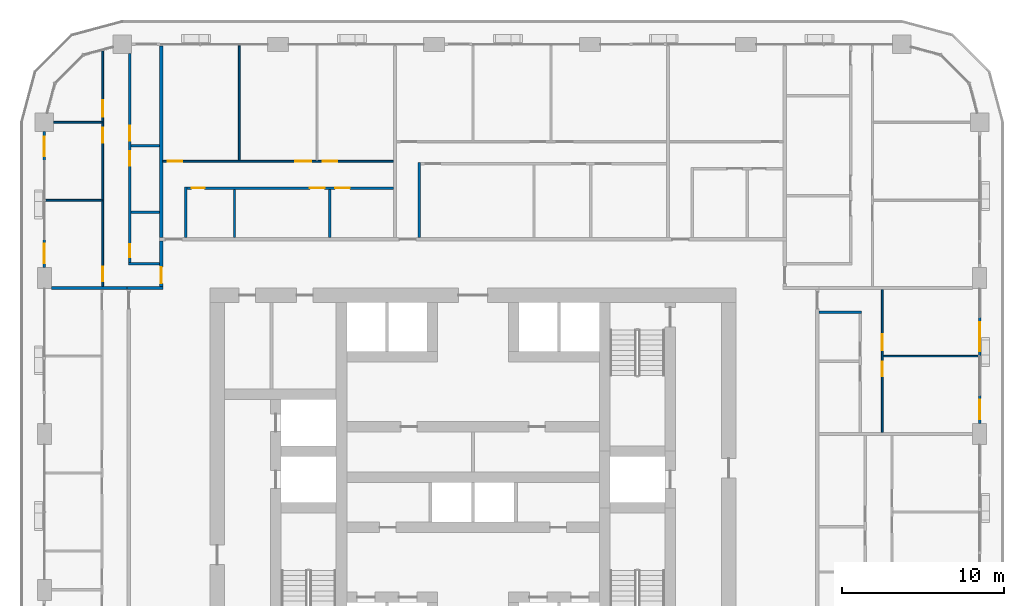
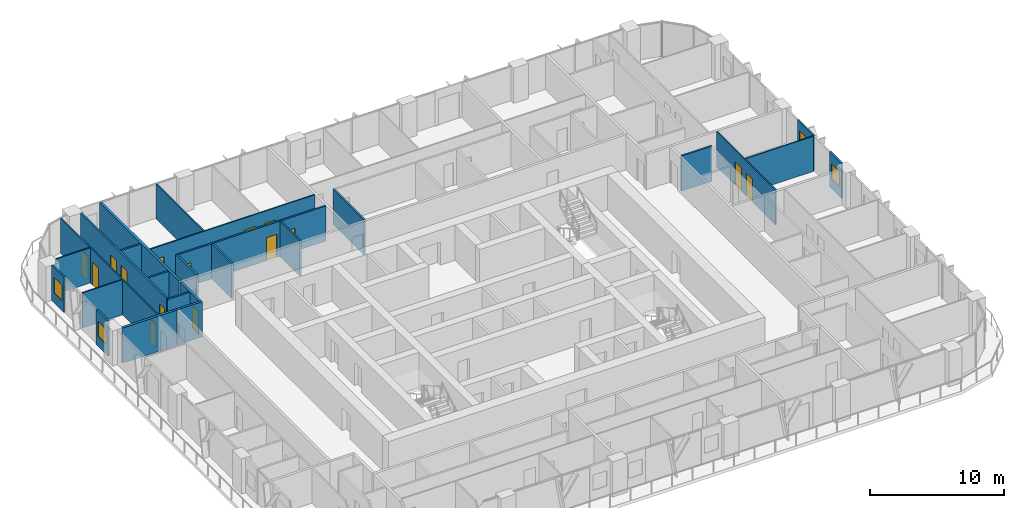
# One storey, part 13 of 21: 25 walls, 16 doors, 3 windows, 19 openings.
"""IFC4 building model written with IfcOpenShell, lengths in metres."""

import ifcopenshell
import ifcopenshell.guid

model = None  # the IFC model being written
_history = None  # IfcOwnerHistory: only IFC2X3 demands one
_inside = {}  # id of a spatial element -> (the spatial element, [elements in it])
_under = {}  # id of a project, library or spatial element -> (it, [spatial elements below it])
_declared = {}  # id of a project -> (the project, [libraries it declares])
_typed = {}  # id of a type object -> (the type object, [elements of that type])
_made_of = {}  # id of a material, layer set ... -> (it, [elements and type objects made of it])


def new_model(schema):
    """Start an empty IFC model of exactly this schema.

    Asked for "IFC4X3", IfcOpenShell would pick the latest addendum, in which some entities
    have other attributes; the version numbers below select the first issue.
    IFC2X3 requires an IfcOwnerHistory on every rooted entity: one is made here for all.
    """
    global model, _history
    if schema == "IFC4X3":
        model = ifcopenshell.file(schema_version=(4, 3, 0, 0))
    else:
        model = ifcopenshell.file(schema=schema)
    _inside.clear()
    _under.clear()
    _declared.clear()
    _typed.clear()
    _made_of.clear()
    _history = None
    if model.schema == "IFC2X3":
        org = make("IfcOrganization", Name="unknown")
        user = make(
            "IfcPersonAndOrganization",
            ThePerson=make("IfcPerson", FamilyName="unknown"),
            TheOrganization=org,
        )
        app = make(
            "IfcApplication",
            ApplicationDeveloper=org,
            Version="unknown",
            ApplicationFullName="unknown",
            ApplicationIdentifier="unknown",
        )
        _history = make(
            "IfcOwnerHistory",
            OwningUser=user,
            OwningApplication=app,
            ChangeAction="ADDED",
            CreationDate=0,
        )
    return model


def make(cls, **values):
    """One entity of the class cls with the attributes given. An attribute that is None is left unset."""
    return model.create_entity(
        cls, **{name: value for name, value in values.items() if value is not None}
    )


def rooted(cls, **values):
    """An entity with a GlobalId (a new one), such as an element, a storey or a relation."""
    return make(cls, GlobalId=ifcopenshell.guid.new(), OwnerHistory=_history, **values)


def si_unit(unit_type, name, prefix=None):
    """IfcSIUnit, for example si_unit("LENGTHUNIT", "METRE", prefix="MILLI")."""
    return make("IfcSIUnit", UnitType=unit_type, Prefix=prefix, Name=name)


def assignment(units):
    """IfcUnitAssignment: the units of a project."""
    return None if units is None else make("IfcUnitAssignment", Units=units)


def point(xyz):
    """IfcCartesianPoint."""
    return None if xyz is None else make("IfcCartesianPoint", Coordinates=xyz)


def direction(xyz):
    """IfcDirection."""
    return None if xyz is None else make("IfcDirection", DirectionRatios=xyz)


def frame(location, z_axis=None, x_axis=None):
    """IfcAxis2Placement3D, a coordinate frame: its origin and axes. An axis left out is left unset."""
    return make(
        "IfcAxis2Placement3D",
        Location=point(location),
        Axis=direction(z_axis),
        RefDirection=direction(x_axis),
    )


def frame_2d(location, x_axis=None):
    """IfcAxis2Placement2D, a coordinate frame in the plane: its origin and x axis."""
    return make(
        "IfcAxis2Placement2D", Location=point(location), RefDirection=direction(x_axis)
    )


def origin():
    """The frame at (0, 0, 0) with its axes left unset."""
    return frame((0.0, 0.0, 0.0))


def place(relative_to, where):
    """IfcLocalPlacement: puts the frame where relative to a parent placement (None: the world)."""
    return make(
        "IfcLocalPlacement", PlacementRelTo=relative_to, RelativePlacement=where
    )


def context(
    kind, dimensions, precision=None, world=None, true_north=None, identifier=None
):
    """IfcGeometricRepresentationContext, for example the 3D "Model" context."""
    return make(
        "IfcGeometricRepresentationContext",
        ContextIdentifier=identifier,
        ContextType=kind,
        CoordinateSpaceDimension=dimensions,
        Precision=precision,
        WorldCoordinateSystem=world,
        TrueNorth=true_north,
    )


def subcontext(parent, identifier, kind, view, scale=None):
    """IfcGeometricRepresentationSubContext, for example "Body" below "Model"."""
    return make(
        "IfcGeometricRepresentationSubContext",
        ContextIdentifier=identifier,
        ContextType=kind,
        ParentContext=parent,
        TargetScale=scale,
        TargetView=view,
    )


def project(units=None, contexts=None):
    """IfcProject with its units and contexts."""
    return rooted(
        "IfcProject",
        Name="project",
        RepresentationContexts=contexts,
        UnitsInContext=assignment(units),
    )


def spatial(cls, under=None, at=None, **own):
    """A site, building, storey or space (cls), placed at a placement, below another one or the project."""
    s = rooted(cls, ObjectPlacement=at, **own)
    if under is not None:
        _under.setdefault(under.id(), (under, []))[1].append(s)
    return s


def profile(cls, at=None, kind="AREA", **sizes):
    """A parametric profile (cls). Its sizes go by their IFC names, for example OverallWidth=200.0."""
    return make(cls, ProfileType=kind, Position=at, **sizes)


def rectangle(**sizes):
    """IfcRectangleProfileDef."""
    return profile("IfcRectangleProfileDef", **sizes)


def extrude(swept, where, along, depth):
    """IfcExtrudedAreaSolid: the profile swept, set in the frame where, extruded along a direction by depth."""
    return make(
        "IfcExtrudedAreaSolid",
        SweptArea=swept,
        Position=where,
        ExtrudedDirection=direction(along),
        Depth=depth,
    )


def shape(context_of_items, identifier, shape_type, items):
    """IfcShapeRepresentation: the items that make up one representation, for example the "Body"."""
    return make(
        "IfcShapeRepresentation",
        ContextOfItems=context_of_items,
        RepresentationIdentifier=identifier,
        RepresentationType=shape_type,
        Items=items,
    )


def material(Name=None, Category=None):
    """IfcMaterial."""
    return make("IfcMaterial", Name=Name, Category=Category)


def layer(
    of_material, thickness, ventilated=None, Name=None, Category=None, Priority=None
):
    """IfcMaterialLayer: one layer of a wall or slab, of a material (None: an air gap)."""
    return make(
        "IfcMaterialLayer",
        Material=of_material,
        LayerThickness=thickness,
        IsVentilated=ventilated,
        Name=Name,
        Category=Category,
        Priority=Priority,
    )


def layer_set(layers, Name=None):
    """IfcMaterialLayerSet."""
    return make("IfcMaterialLayerSet", MaterialLayers=layers, LayerSetName=Name)


def made_of(thing, what):
    """Note that an element or type object is made of a material, layer set ...; save() writes the relation."""
    if what is not None:
        _made_of.setdefault(what.id(), (what, []))[1].append(thing)
    return thing


def type_object(cls, material=None, **own):
    """A type object (cls), such as IfcWallType, which elements share."""
    return made_of(rooted(cls, **own), material)


def element(
    cls,
    number,
    at=None,
    inside=None,
    cuts=None,
    type_object=None,
    material=None,
    context=None,
    identifier="Body",
    shape_type=None,
    held_by="IfcProductDefinitionShape",
    body=None,
    shapes=None,
    **own,
):
    """One element of the class cls, such as IfcWall. Its Tag is "e" and its number.

    at: its placement. inside: the storey or other place that contains it. cuts: it is an
    opening in that element (IfcRelVoidsElement). A single representation is given by context,
    identifier, shape_type and body (its items); several are given by shapes. held_by: the class
    of the entity that holds the representations. save() writes the other relations.
    """
    e = rooted(cls, Tag="e%d" % number, ObjectPlacement=at, **own)
    if body is not None:
        shapes = [shape(context, identifier, shape_type, body)]
    if shapes is not None:
        e.Representation = make(held_by, Representations=shapes)
    if inside is not None:
        _inside.setdefault(inside.id(), (inside, []))[1].append(e)
    if cuts is not None:
        rooted(
            "IfcRelVoidsElement", RelatingBuildingElement=cuts, RelatedOpeningElement=e
        )
    if type_object is not None:
        _typed.setdefault(type_object.id(), (type_object, []))[1].append(e)
    return made_of(e, material)


def fill(opening, filler):
    """IfcRelFillsElement: the door or window that sits in an opening."""
    return rooted(
        "IfcRelFillsElement",
        RelatingOpeningElement=opening,
        RelatedBuildingElement=filler,
    )


def aggregate(whole, parts):
    """IfcRelAggregates: a whole, such as a stair, and the parts it consists of."""
    return rooted("IfcRelAggregates", RelatingObject=whole, RelatedObjects=parts)


def save(model, path):
    """Write the relations noted so far, then the file.

    IfcRelAggregates (storeys below a building ...), IfcRelContainedInSpatialStructure (elements
    in a storey), IfcRelDefinesByType, IfcRelAssociatesMaterial and IfcRelDeclares: one each for
    every whole, place, type object, material and project.
    """
    for whole, parts in _under.values():
        aggregate(whole, parts)
    for where, things in _inside.values():
        rooted(
            "IfcRelContainedInSpatialStructure",
            RelatedElements=things,
            RelatingStructure=where,
        )
    for kind, things in _typed.values():
        rooted("IfcRelDefinesByType", RelatedObjects=things, RelatingType=kind)
    for what, things in _made_of.values():
        rooted("IfcRelAssociatesMaterial", RelatedObjects=things, RelatingMaterial=what)
    for by, libraries in _declared.values():
        rooted("IfcRelDeclares", RelatingContext=by, RelatedDefinitions=libraries)
    model.write(path)


model = new_model("IFC4")

# Units and contexts
model_context = context("Model", 3, precision=1e-05, world=origin(), true_north=direction((0.0, 1.0)))
body_context = subcontext(model_context, "Body", "Model", "MODEL_VIEW")
ifc_project = project(units=[si_unit("LENGTHUNIT", "METRE"), si_unit("AREAUNIT", "SQUARE_METRE"), si_unit("VOLUMEUNIT", "CUBIC_METRE"), si_unit("PLANEANGLEUNIT", "RADIAN"), si_unit("MASSUNIT", "GRAM", prefix="KILO")], contexts=[model_context])

# Site, building, storey
site_placement = place(None, origin())
site = spatial("IfcSite", under=ifc_project, at=site_placement, CompositionType="ELEMENT")
building_placement = place(site_placement, origin())
building = spatial("IfcBuilding", under=site, at=building_placement, Name="Madar Terraces", CompositionType="ELEMENT")
storey_placement = place(building_placement, frame((0.0, 0.0, 96.199951171875)))
storey = spatial("IfcBuildingStorey", under=building, at=storey_placement, Name="L24", CompositionType="ELEMENT", Elevation=96.199951171875)

# Wall, opening, window
ifc_material_1 = material(Name="Aluminium composite panel, black, over insulated backing", Category="aluminium")
ifc_layer_1 = layer(ifc_material_1, 0.14990234375)
ifc_layer_set_1 = layer_set([ifc_layer_1], Name="Facade bay panel 150")
wall_type_1 = type_object("IfcWallType", Name="Facade bay panel 150", PredefinedType="SOLIDWALL", material=ifc_layer_set_1)
wall_1_placement = place(storey_placement, frame((62.39990234375, 29.449951171875, 0.0), z_axis=(0.0, 0.0, 1.0), x_axis=(0.0, 1.0, 0.0)))
wall_1 = element("IfcWall", 1, at=wall_1_placement, inside=storey, type_object=wall_type_1, Name="Facade bay panel", PredefinedType="SOLIDWALL", context=body_context, shape_type="SweptSolid", body=[
    extrude(rectangle(XDim=1.75, YDim=0.14990234375, at=frame_2d((0.875, 0.0))), origin(), (0.0, 0.0, 1.0), 3.199951171875),
])
opening_1_placement = place(wall_1_placement, frame((0.27490234375, 0.0, 0.89990234375)))
opening_1 = element("IfcOpeningElement", 2, at=opening_1_placement, cuts=wall_1, Name="Opening W1", PredefinedType="OPENING", context=body_context, shape_type="SweptSolid", body=[
    extrude(rectangle(XDim=1.199951171875, YDim=1.39990234375, at=frame_2d((0.60009765625, 0.699951171875))), frame((0.0, 0.0849609375, 0.0), z_axis=(0.0, -1.0, 0.0), x_axis=(1.0, 0.0, 0.0)), (0.0, 0.0, 1.0), 0.169921875),
])
ifc_material_2 = material(Name="Glass, clear, with black aluminium frame", Category="aluminium")
window_type = type_object("IfcWindowType", Name="Vent window 1200 x 1400", PartitioningType="SINGLE_PANEL", PredefinedType="WINDOW", material=ifc_material_2)
window_1_placement = place(opening_1_placement, origin())
window_1 = element("IfcWindow", 3, at=window_1_placement, inside=storey, type_object=window_type, Name="Operable vent window", OverallHeight=1.39990234375, OverallWidth=1.199951171875, PartitioningType="SINGLE_PANEL", PredefinedType="WINDOW", context=body_context, shape_type="SweptSolid", body=[
    extrude(rectangle(XDim=1.199951171875, YDim=1.39990234375, at=frame_2d((0.60009765625, 0.699951171875))), frame((0.0, 0.030029296875, 0.0), z_axis=(0.0, -1.0, 0.0), x_axis=(1.0, 0.0, 0.0)), (0.0, 0.0, 1.0), 0.06005859375),
])
fill(opening_1, window_1)

# Wall, opening, door
wall_2_placement = place(storey_placement, frame((62.39990234375, 33.60009765625, 0.0), z_axis=(0.0, 0.0, 1.0), x_axis=(0.0, 1.0, 0.0)))
wall_2 = element("IfcWall", 4, at=wall_2_placement, inside=storey, type_object=wall_type_1, Name="Facade bay panel", PredefinedType="SOLIDWALL", context=body_context, shape_type="SweptSolid", body=[
    extrude(rectangle(XDim=2.39990234375, YDim=0.14990234375, at=frame_2d((1.199951171875, 0.0))), origin(), (0.0, 0.0, 1.0), 3.199951171875),
])
opening_2_placement = place(wall_2_placement, frame((0.300048828125, 0.0, 0.0)))
opening_2 = element("IfcOpeningElement", 5, at=opening_2_placement, cuts=wall_2, Name="Opening ED1", PredefinedType="OPENING", context=body_context, shape_type="SweptSolid", body=[
    extrude(rectangle(XDim=1.800048828125, YDim=2.39990234375, at=frame_2d((0.89990234375, 1.199951171875))), frame((0.0, 0.0849609375, 0.0), z_axis=(0.0, -1.0, 0.0), x_axis=(1.0, 0.0, 0.0)), (0.0, 0.0, 1.0), 0.169921875),
])
ifc_material_3 = material(Name="Glass, clear, with black aluminium frame", Category="aluminium")
door_type_1 = type_object("IfcDoorType", Name="Balcony and terrace sliding door 1800 x 2400", OperationType="SLIDING_TO_LEFT", PredefinedType="DOOR", material=ifc_material_3)
door_1_placement = place(opening_2_placement, origin())
door_1 = element("IfcDoor", 6, at=door_1_placement, inside=storey, type_object=door_type_1, Name="Balcony door", OperationType="SLIDING_TO_LEFT", OverallHeight=2.39990234375, OverallWidth=1.800048828125, PredefinedType="DOOR", context=body_context, shape_type="SweptSolid", body=[
    extrude(rectangle(XDim=1.800048828125, YDim=2.39990234375, at=frame_2d((0.89990234375, 1.199951171875))), frame((0.0, 0.02490234375, 0.0), z_axis=(0.0, -1.0, 0.0), x_axis=(1.0, 0.0, 0.0)), (0.0, 0.0, 1.0), 0.050048828125),
])
fill(opening_2, door_1)

# Wall, opening, window
wall_3_placement = place(storey_placement, frame((4.800048828125, 47.425048828125, 0.0), z_axis=(0.0, 0.0, 1.0), x_axis=(0.0, -1.0, 0.0)))
wall_3 = element("IfcWall", 7, at=wall_3_placement, inside=storey, type_object=wall_type_1, Name="Facade bay panel", PredefinedType="SOLIDWALL", context=body_context, shape_type="SweptSolid", body=[
    extrude(rectangle(XDim=1.824951171875, YDim=0.14990234375, at=frame_2d((0.91259765625, 0.0))), origin(), (0.0, 0.0, 1.0), 3.199951171875),
])
opening_3_placement = place(wall_3_placement, frame((0.3125, 0.0, 0.89990234375)))
opening_3 = element("IfcOpeningElement", 8, at=opening_3_placement, cuts=wall_3, Name="Opening W1", PredefinedType="OPENING", context=body_context, shape_type="SweptSolid", body=[
    extrude(rectangle(XDim=1.199951171875, YDim=1.39990234375, at=frame_2d((0.60009765625, 0.699951171875))), frame((0.0, 0.0849609375, 0.0), z_axis=(0.0, -1.0, 0.0), x_axis=(1.0, 0.0, 0.0)), (0.0, 0.0, 1.0), 0.169921875),
])
window_2_placement = place(opening_3_placement, origin())
window_2 = element("IfcWindow", 9, at=window_2_placement, inside=storey, type_object=window_type, Name="Operable vent window", OverallHeight=1.39990234375, OverallWidth=1.199951171875, PartitioningType="SINGLE_PANEL", PredefinedType="WINDOW", context=body_context, shape_type="SweptSolid", body=[
    extrude(rectangle(XDim=1.199951171875, YDim=1.39990234375, at=frame_2d((0.60009765625, 0.699951171875))), frame((0.0, 0.030029296875, 0.0), z_axis=(0.0, -1.0, 0.0), x_axis=(1.0, 0.0, 0.0)), (0.0, 0.0, 1.0), 0.06005859375),
])
fill(opening_3, window_2)

wall_4_placement = place(storey_placement, frame((4.800048828125, 40.800048828125, 0.0), z_axis=(0.0, 0.0, 1.0), x_axis=(0.0, -1.0, 0.0)))
wall_4 = element("IfcWall", 10, at=wall_4_placement, inside=storey, type_object=wall_type_1, Name="Facade bay panel", PredefinedType="SOLIDWALL", context=body_context, shape_type="SweptSolid", body=[
    extrude(rectangle(XDim=1.75, YDim=0.14990234375, at=frame_2d((0.875, 0.0))), origin(), (0.0, 0.0, 1.0), 3.199951171875),
])
opening_4_placement = place(wall_4_placement, frame((0.27490234375, 0.0, 0.89990234375)))
opening_4 = element("IfcOpeningElement", 11, at=opening_4_placement, cuts=wall_4, Name="Opening W1", PredefinedType="OPENING", context=body_context, shape_type="SweptSolid", body=[
    extrude(rectangle(XDim=1.199951171875, YDim=1.39990234375, at=frame_2d((0.60009765625, 0.699951171875))), frame((0.0, 0.0849609375, 0.0), z_axis=(0.0, -1.0, 0.0), x_axis=(1.0, 0.0, 0.0)), (0.0, 0.0, 1.0), 0.169921875),
])
window_3_placement = place(opening_4_placement, origin())
window_3 = element("IfcWindow", 12, at=window_3_placement, inside=storey, type_object=window_type, Name="Operable vent window", OverallHeight=1.39990234375, OverallWidth=1.199951171875, PartitioningType="SINGLE_PANEL", PredefinedType="WINDOW", context=body_context, shape_type="SweptSolid", body=[
    extrude(rectangle(XDim=1.199951171875, YDim=1.39990234375, at=frame_2d((0.60009765625, 0.699951171875))), frame((0.0, 0.030029296875, 0.0), z_axis=(0.0, -1.0, 0.0), x_axis=(1.0, 0.0, 0.0)), (0.0, 0.0, 1.0), 0.06005859375),
])
fill(opening_4, window_3)

# Wall
ifc_material_4 = material(Name="Gypsum board on steel studs", Category="steel")
ifc_layer_2 = layer(ifc_material_4, 0.10009765625)
ifc_layer_set_2 = layer_set([ifc_layer_2], Name="Flat partition 100")
wall_type_2 = type_object("IfcWallType", Name="Flat partition 100", PredefinedType="PARTITIONING", material=ifc_layer_set_2)
wall_5_placement = place(storey_placement, frame((56.449951171875, 33.60009765625, 0.0), z_axis=(0.0, 0.0, 1.0), x_axis=(1.0, 0.0, 0.0)))
element("IfcWall", 13, at=wall_5_placement, inside=storey, type_object=wall_type_2, Name="Flat partition 100", PredefinedType="PARTITIONING", context=body_context, shape_type="SweptSolid", body=[
    extrude(rectangle(XDim=5.85009765625, YDim=0.10009765625, at=frame_2d((2.925048828125, 0.0))), origin(), (0.0, 0.0, 1.0), 3.199951171875),
])

# Wall, openings, doors
wall_6_placement = place(storey_placement, frame((56.39990234375, 37.699951171875, 0.0), z_axis=(0.0, 0.0, 1.0), x_axis=(0.0, -1.0, 0.0)))
wall_6 = element("IfcWall", 14, at=wall_6_placement, inside=storey, type_object=wall_type_2, Name="Flat partition 100", PredefinedType="PARTITIONING", context=body_context, shape_type="SweptSolid", body=[
    extrude(rectangle(XDim=8.800048828125, YDim=0.10009765625, at=frame_2d((4.39990234375, 0.0))), origin(), (0.0, 0.0, 1.0), 3.199951171875),
])
opening_5_placement = place(wall_6_placement, frame((2.75, 0.0, 0.0)))
opening_5 = element("IfcOpeningElement", 15, at=opening_5_placement, cuts=wall_6, Name="Opening D3", PredefinedType="OPENING", context=body_context, shape_type="SweptSolid", body=[
    extrude(rectangle(XDim=1.0, YDim=2.10009765625, at=frame_2d((0.5, 1.050048828125))), frame((0.0, 0.06005859375, 0.0), z_axis=(0.0, -1.0, 0.0), x_axis=(1.0, 0.0, 0.0)), (0.0, 0.0, 1.0), 0.1201171875),
])
opening_6_placement = place(wall_6_placement, frame((4.449951171875, 0.0, 0.0)))
opening_6 = element("IfcOpeningElement", 16, at=opening_6_placement, cuts=wall_6, Name="Opening D2", PredefinedType="OPENING", context=body_context, shape_type="SweptSolid", body=[
    extrude(rectangle(XDim=0.89990234375, YDim=2.10009765625, at=frame_2d((0.449951171875, 1.050048828125))), frame((0.0, 0.06005859375, 0.0), z_axis=(0.0, -1.0, 0.0), x_axis=(1.0, 0.0, 0.0)), (0.0, 0.0, 1.0), 0.1201171875),
])
ifc_material_5 = material(Name="Timber door leaf", Category="wood")
door_type_2 = type_object("IfcDoorType", Name="Flat living room door 1000", OperationType="NOTDEFINED", PredefinedType="DOOR", material=ifc_material_5)
door_2_placement = place(opening_5_placement, origin())
door_2 = element("IfcDoor", 17, at=door_2_placement, inside=storey, type_object=door_type_2, Name="Flat living room door 1000", OperationType="SINGLE_SWING_RIGHT", OverallHeight=2.10009765625, OverallWidth=1.0, PredefinedType="DOOR", context=body_context, shape_type="SweptSolid", body=[
    extrude(rectangle(XDim=1.0, YDim=2.10009765625, at=frame_2d((0.5, 1.050048828125))), frame((0.0, 0.02490234375, 0.0), z_axis=(0.0, -1.0, 0.0), x_axis=(1.0, 0.0, 0.0)), (0.0, 0.0, 1.0), 0.050048828125),
])
fill(opening_5, door_2)
ifc_material_6 = material(Name="Timber door leaf", Category="wood")
door_type_3 = type_object("IfcDoorType", Name="Flat room door 900", OperationType="NOTDEFINED", PredefinedType="DOOR", material=ifc_material_6)
door_3_placement = place(opening_6_placement, origin())
door_3 = element("IfcDoor", 18, at=door_3_placement, inside=storey, type_object=door_type_3, Name="Flat room door 900", OperationType="SINGLE_SWING_LEFT", OverallHeight=2.10009765625, OverallWidth=0.89990234375, PredefinedType="DOOR", context=body_context, shape_type="SweptSolid", body=[
    extrude(rectangle(XDim=0.89990234375, YDim=2.10009765625, at=frame_2d((0.449951171875, 1.050048828125))), frame((0.0, 0.02490234375, 0.0), z_axis=(0.0, -1.0, 0.0), x_axis=(1.0, 0.0, 0.0)), (0.0, 0.0, 1.0), 0.050048828125),
])
fill(opening_6, door_3)

# Wall
wall_7_placement = place(storey_placement, frame((16.800048828125, 45.64990234375, 0.0), z_axis=(0.0, 0.0, 1.0), x_axis=(0.0, 1.0, 0.0)))
element("IfcWall", 19, at=wall_7_placement, inside=storey, type_object=wall_type_2, Name="Flat partition 100", PredefinedType="PARTITIONING", context=body_context, shape_type="SweptSolid", body=[
    extrude(rectangle(XDim=7.050048828125, YDim=0.10009765625, at=frame_2d((3.52490234375, 0.0))), origin(), (0.0, 0.0, 1.0), 3.199951171875),
])

# Wall, openings, doors
wall_8_placement = place(storey_placement, frame((12.10009765625, 45.60009765625, 0.0), z_axis=(0.0, 0.0, 1.0), x_axis=(1.0, 0.0, 0.0)))
wall_8 = element("IfcWall", 20, at=wall_8_placement, inside=storey, type_object=wall_type_2, Name="Flat partition 100", PredefinedType="PARTITIONING", context=body_context, shape_type="SweptSolid", body=[
    extrude(rectangle(XDim=14.199951171875, YDim=0.10009765625, at=frame_2d((7.10009765625, 0.0))), origin(), (0.0, 0.0, 1.0), 3.199951171875),
])
opening_7_placement = place(wall_8_placement, frame((0.300048828125, 0.0, 0.0)))
opening_7 = element("IfcOpeningElement", 21, at=opening_7_placement, cuts=wall_8, Name="Opening D2", PredefinedType="OPENING", context=body_context, shape_type="SweptSolid", body=[
    extrude(rectangle(XDim=0.89990234375, YDim=2.10009765625, at=frame_2d((0.449951171875, 1.050048828125))), frame((0.0, 0.06005859375, 0.0), z_axis=(0.0, -1.0, 0.0), x_axis=(1.0, 0.0, 0.0)), (0.0, 0.0, 1.0), 0.1201171875),
])
opening_8_placement = place(wall_8_placement, frame((8.14990234375, 0.0, 0.0)))
opening_8 = element("IfcOpeningElement", 22, at=opening_8_placement, cuts=wall_8, Name="Opening D3", PredefinedType="OPENING", context=body_context, shape_type="SweptSolid", body=[
    extrude(rectangle(XDim=1.0, YDim=2.10009765625, at=frame_2d((0.5, 1.050048828125))), frame((0.0, 0.06005859375, 0.0), z_axis=(0.0, -1.0, 0.0), x_axis=(1.0, 0.0, 0.0)), (0.0, 0.0, 1.0), 0.1201171875),
])
opening_9_placement = place(wall_8_placement, frame((9.85009765625, 0.0, 0.0)))
opening_9 = element("IfcOpeningElement", 23, at=opening_9_placement, cuts=wall_8, Name="Opening D2", PredefinedType="OPENING", context=body_context, shape_type="SweptSolid", body=[
    extrude(rectangle(XDim=0.89990234375, YDim=2.10009765625, at=frame_2d((0.449951171875, 1.050048828125))), frame((0.0, 0.06005859375, 0.0), z_axis=(0.0, -1.0, 0.0), x_axis=(1.0, 0.0, 0.0)), (0.0, 0.0, 1.0), 0.1201171875),
])
door_4_placement = place(opening_8_placement, origin())
door_4 = element("IfcDoor", 24, at=door_4_placement, inside=storey, type_object=door_type_2, Name="Flat living room door 1000", OperationType="SINGLE_SWING_RIGHT", OverallHeight=2.10009765625, OverallWidth=1.0, PredefinedType="DOOR", context=body_context, shape_type="SweptSolid", body=[
    extrude(rectangle(XDim=1.0, YDim=2.10009765625, at=frame_2d((0.5, 1.050048828125))), frame((0.0, 0.02490234375, 0.0), z_axis=(0.0, -1.0, 0.0), x_axis=(1.0, 0.0, 0.0)), (0.0, 0.0, 1.0), 0.050048828125),
])
fill(opening_8, door_4)
door_5_placement = place(opening_7_placement, origin())
door_5 = element("IfcDoor", 25, at=door_5_placement, inside=storey, type_object=door_type_3, Name="Flat room door 900", OperationType="SINGLE_SWING_LEFT", OverallHeight=2.10009765625, OverallWidth=0.89990234375, PredefinedType="DOOR", context=body_context, shape_type="SweptSolid", body=[
    extrude(rectangle(XDim=0.89990234375, YDim=2.10009765625, at=frame_2d((0.449951171875, 1.050048828125))), frame((0.0, 0.02490234375, 0.0), z_axis=(0.0, -1.0, 0.0), x_axis=(1.0, 0.0, 0.0)), (0.0, 0.0, 1.0), 0.050048828125),
])
fill(opening_7, door_5)
door_6_placement = place(opening_9_placement, origin())
door_6 = element("IfcDoor", 26, at=door_6_placement, inside=storey, type_object=door_type_3, Name="Flat room door 900", OperationType="SINGLE_SWING_LEFT", OverallHeight=2.10009765625, OverallWidth=0.89990234375, PredefinedType="DOOR", context=body_context, shape_type="SweptSolid", body=[
    extrude(rectangle(XDim=0.89990234375, YDim=2.10009765625, at=frame_2d((0.449951171875, 1.050048828125))), frame((0.0, 0.02490234375, 0.0), z_axis=(0.0, -1.0, 0.0), x_axis=(1.0, 0.0, 0.0)), (0.0, 0.0, 1.0), 0.050048828125),
])
fill(opening_9, door_6)

# Walls
wall_9_placement = place(storey_placement, frame((8.35009765625, 43.199951171875, 0.0), z_axis=(0.0, 0.0, 1.0), x_axis=(-1.0, 0.0, 0.0)))
element("IfcWall", 27, at=wall_9_placement, inside=storey, type_object=wall_type_2, Name="Flat partition 100", PredefinedType="PARTITIONING", context=body_context, shape_type="SweptSolid", body=[
    extrude(rectangle(XDim=3.4501953125, YDim=0.10009765625, at=frame_2d((1.72509765625, 0.0))), origin(), (0.0, 0.0, 1.0), 3.199951171875),
])
wall_10_placement = place(storey_placement, frame((8.35009765625, 48.0, 0.0), z_axis=(0.0, 0.0, 1.0), x_axis=(-1.0, 0.0, 0.0)))
element("IfcWall", 28, at=wall_10_placement, inside=storey, type_object=wall_type_2, Name="Flat partition 100", PredefinedType="PARTITIONING", context=body_context, shape_type="SweptSolid", body=[
    extrude(rectangle(XDim=2.97509765625, YDim=0.10009765625, at=frame_2d((1.487548828125, 0.0))), origin(), (0.0, 0.0, 1.0), 3.199951171875),
])

# Wall, openings, doors
wall_11_placement = place(storey_placement, frame((8.39990234375, 37.89990234375, 0.0), z_axis=(0.0, 0.0, 1.0), x_axis=(0.0, 1.0, 0.0)))
wall_11 = element("IfcWall", 29, at=wall_11_placement, inside=storey, type_object=wall_type_2, Name="Flat partition 100", PredefinedType="PARTITIONING", context=body_context, shape_type="SweptSolid", body=[
    extrude(rectangle(XDim=14.478515625, YDim=0.10009765625, at=frame_2d((7.2392578125, 0.0))), origin(), (0.0, 0.0, 1.0), 3.199951171875),
])
opening_10_placement = place(wall_11_placement, frame((0.300048828125, 0.0, 0.0)))
opening_10 = element("IfcOpeningElement", 30, at=opening_10_placement, cuts=wall_11, Name="Opening D2", PredefinedType="OPENING", context=body_context, shape_type="SweptSolid", body=[
    extrude(rectangle(XDim=0.89990234375, YDim=2.10009765625, at=frame_2d((0.449951171875, 1.050048828125))), frame((0.0, 0.06005859375, 0.0), z_axis=(0.0, -1.0, 0.0), x_axis=(1.0, 0.0, 0.0)), (0.0, 0.0, 1.0), 0.1201171875),
])
opening_11_placement = place(wall_11_placement, frame((8.85009765625, 0.0, 0.0)))
opening_11 = element("IfcOpeningElement", 31, at=opening_11_placement, cuts=wall_11, Name="Opening D2", PredefinedType="OPENING", context=body_context, shape_type="SweptSolid", body=[
    extrude(rectangle(XDim=0.89990234375, YDim=2.10009765625, at=frame_2d((0.449951171875, 1.050048828125))), frame((0.0, 0.06005859375, 0.0), z_axis=(0.0, -1.0, 0.0), x_axis=(1.0, 0.0, 0.0)), (0.0, 0.0, 1.0), 0.1201171875),
])
opening_12_placement = place(wall_11_placement, frame((10.449951171875, 0.0, 0.0)))
opening_12 = element("IfcOpeningElement", 32, at=opening_12_placement, cuts=wall_11, Name="Opening D3", PredefinedType="OPENING", context=body_context, shape_type="SweptSolid", body=[
    extrude(rectangle(XDim=1.0, YDim=2.10009765625, at=frame_2d((0.5, 1.050048828125))), frame((0.0, 0.06005859375, 0.0), z_axis=(0.0, -1.0, 0.0), x_axis=(1.0, 0.0, 0.0)), (0.0, 0.0, 1.0), 0.1201171875),
])
door_7_placement = place(opening_12_placement, origin())
door_7 = element("IfcDoor", 33, at=door_7_placement, inside=storey, type_object=door_type_2, Name="Flat living room door 1000", OperationType="SINGLE_SWING_LEFT", OverallHeight=2.10009765625, OverallWidth=1.0, PredefinedType="DOOR", context=body_context, shape_type="SweptSolid", body=[
    extrude(rectangle(XDim=1.0, YDim=2.10009765625, at=frame_2d((0.5, 1.050048828125))), frame((0.0, 0.02490234375, 0.0), z_axis=(0.0, -1.0, 0.0), x_axis=(1.0, 0.0, 0.0)), (0.0, 0.0, 1.0), 0.050048828125),
])
fill(opening_12, door_7)
door_8_placement = place(opening_10_placement, origin())
door_8 = element("IfcDoor", 34, at=door_8_placement, inside=storey, type_object=door_type_3, Name="Flat room door 900", OperationType="SINGLE_SWING_LEFT", OverallHeight=2.10009765625, OverallWidth=0.89990234375, PredefinedType="DOOR", context=body_context, shape_type="SweptSolid", body=[
    extrude(rectangle(XDim=0.89990234375, YDim=2.10009765625, at=frame_2d((0.449951171875, 1.050048828125))), frame((0.0, 0.02490234375, 0.0), z_axis=(0.0, -1.0, 0.0), x_axis=(1.0, 0.0, 0.0)), (0.0, 0.0, 1.0), 0.050048828125),
])
fill(opening_10, door_8)
door_9_placement = place(opening_11_placement, origin())
door_9 = element("IfcDoor", 35, at=door_9_placement, inside=storey, type_object=door_type_3, Name="Flat room door 900", OperationType="SINGLE_SWING_RIGHT", OverallHeight=2.10009765625, OverallWidth=0.89990234375, PredefinedType="DOOR", context=body_context, shape_type="SweptSolid", body=[
    extrude(rectangle(XDim=0.89990234375, YDim=2.10009765625, at=frame_2d((0.449951171875, 1.050048828125))), frame((0.0, 0.02490234375, 0.0), z_axis=(0.0, -1.0, 0.0), x_axis=(1.0, 0.0, 0.0)), (0.0, 0.0, 1.0), 0.050048828125),
])
fill(opening_11, door_9)

# Wall, opening, door
ifc_material_7 = material(Name="Lightweight blockwork", Category="masonry")
ifc_layer_3 = layer(ifc_material_7, 0.199951171875)
ifc_layer_set_3 = layer_set([ifc_layer_3], Name="Flat party and entrance wall 200")
wall_type_3 = type_object("IfcWallType", Name="Flat party and entrance wall 200", PredefinedType="PARTITIONING", material=ifc_layer_set_3)
wall_12_placement = place(storey_placement, frame((12.0, 37.89990234375, 0.0), z_axis=(0.0, 0.0, 1.0), x_axis=(0.0, 1.0, 0.0)))
wall_12 = element("IfcWall", 36, at=wall_12_placement, inside=storey, type_object=wall_type_3, Name="Flat party and entrance wall 200", PredefinedType="PARTITIONING", context=body_context, shape_type="SweptSolid", body=[
    extrude(rectangle(XDim=2.800048828125, YDim=0.199951171875, at=frame_2d((1.39990234375, 0.0))), origin(), (0.0, 0.0, 1.0), 3.199951171875),
])
opening_13_placement = place(wall_12_placement, frame((0.175048828125, 0.0, 0.0)))
opening_13 = element("IfcOpeningElement", 37, at=opening_13_placement, cuts=wall_12, Name="Opening D1", PredefinedType="OPENING", context=body_context, shape_type="SweptSolid", body=[
    extrude(rectangle(XDim=1.0, YDim=2.10009765625, at=frame_2d((0.5, 1.050048828125))), frame((0.0, 0.10986328125, 0.0), z_axis=(0.0, -1.0, 0.0), x_axis=(1.0, 0.0, 0.0)), (0.0, 0.0, 1.0), 0.219970703125),
])
ifc_material_8 = material(Name="Timber fire door leaf", Category="wood")
door_type_4 = type_object("IfcDoorType", Name="Flat entrance door 1000 FD30S", OperationType="NOTDEFINED", PredefinedType="DOOR", material=ifc_material_8)
door_10_placement = place(opening_13_placement, origin())
door_10 = element("IfcDoor", 38, at=door_10_placement, inside=storey, type_object=door_type_4, Name="Flat entrance door 1000 FD30S", OperationType="SINGLE_SWING_LEFT", OverallHeight=2.10009765625, OverallWidth=1.0, PredefinedType="DOOR", context=body_context, shape_type="SweptSolid", body=[
    extrude(rectangle(XDim=1.0, YDim=2.10009765625, at=frame_2d((0.5, 1.050048828125))), frame((0.0, 0.02490234375, 0.0), z_axis=(0.0, -1.0, 0.0), x_axis=(1.0, 0.0, 0.0)), (0.0, 0.0, 1.0), 0.050048828125),
])
fill(opening_13, door_10)

# Walls
wall_13_placement = place(storey_placement, frame((12.10009765625, 37.800048828125, 0.0), z_axis=(0.0, 0.0, 1.0), x_axis=(-1.0, 0.0, 0.0)))
element("IfcWall", 39, at=wall_13_placement, inside=storey, type_object=wall_type_3, Name="Flat party and entrance wall 200", PredefinedType="PARTITIONING", context=body_context, shape_type="SweptSolid", body=[
    extrude(rectangle(XDim=2.2001953125, YDim=0.199951171875, at=frame_2d((1.10009765625, 0.0))), origin(), (0.0, 0.0, 1.0), 3.199951171875),
])
wall_14_placement = place(storey_placement, frame((12.0, 52.699951171875, 0.0), z_axis=(0.0, 0.0, 1.0), x_axis=(0.0, -1.0, 0.0)))
element("IfcWall", 40, at=wall_14_placement, inside=storey, type_object=wall_type_3, Name="Flat party and entrance wall 200", PredefinedType="PARTITIONING", context=body_context, shape_type="SweptSolid", body=[
    extrude(rectangle(XDim=11.800048828125, YDim=0.199951171875, at=frame_2d((5.89990234375, 0.0))), origin(), (0.0, 0.0, 1.0), 3.199951171875),
])
wall_15_placement = place(storey_placement, frame((5.22509765625, 37.800048828125, 0.0), z_axis=(0.0, 0.0, 1.0), x_axis=(1.0, 0.0, 0.0)))
element("IfcWall", 41, at=wall_15_placement, inside=storey, type_object=wall_type_3, Name="Flat party and entrance wall 200", PredefinedType="PARTITIONING", context=body_context, shape_type="SweptSolid", body=[
    extrude(rectangle(XDim=4.6748046875, YDim=0.199951171875, at=frame_2d((2.33740234375, 0.0))), origin(), (0.0, 0.0, 1.0), 3.199951171875),
])
ifc_material_9 = material(Name="Lightweight blockwork", Category="masonry")
ifc_layer_4 = layer(ifc_material_9, 0.14990234375)
ifc_layer_set_4 = layer_set([ifc_layer_4], Name="Flat wet-room partition 150")
wall_type_4 = type_object("IfcWallType", Name="Flat wet-room partition 150", PredefinedType="PARTITIONING", material=ifc_layer_set_4)
wall_16_placement = place(storey_placement, frame((52.5, 36.300048828125, 0.0), z_axis=(0.0, 0.0, 1.0), x_axis=(1.0, 0.0, 0.0)))
element("IfcWall", 42, at=wall_16_placement, inside=storey, type_object=wall_type_4, Name="Flat wet-room partition 150", PredefinedType="PARTITIONING", context=body_context, shape_type="SweptSolid", body=[
    extrude(rectangle(XDim=2.625, YDim=0.14990234375, at=frame_2d((1.3125, 0.0))), origin(), (0.0, 0.0, 1.0), 3.199951171875),
])
wall_17_placement = place(storey_placement, frame((27.89990234375, 40.89990234375, 0.0), z_axis=(0.0, 0.0, 1.0), x_axis=(0.0, 1.0, 0.0)))
element("IfcWall", 43, at=wall_17_placement, inside=storey, type_object=wall_type_4, Name="Flat wet-room partition 150", PredefinedType="PARTITIONING", context=body_context, shape_type="SweptSolid", body=[
    extrude(rectangle(XDim=4.625, YDim=0.14990234375, at=frame_2d((2.3125, 0.0))), origin(), (0.0, 0.0, 1.0), 3.199951171875),
])
for number, where, z_axis, x_axis, name in (
    (44, (16.511474609375, 40.89990234375, 0.0), (0.0, 0.0, 1.0), (0.0, 1.0, 0.0), "Flat wet-room partition 150"),
    (45, (22.384521484375, 40.89990234375, 0.0), (0.0, 0.0, 1.0), (0.0, 1.0, 0.0), "Flat wet-room partition 150"),
):
    element("IfcWall", number, at=place(storey_placement, frame(where, z_axis=z_axis, x_axis=x_axis)), inside=storey, type_object=wall_type_4, Name=name, PredefinedType="PARTITIONING", context=body_context, shape_type="SweptSolid", body=[
        extrude(rectangle(XDim=2.97509765625, YDim=0.14990234375, at=frame_2d((1.487548828125, 0.0))), origin(), (0.0, 0.0, 1.0), 3.199951171875),
    ])
wall_18_placement = place(storey_placement, frame((13.5, 40.89990234375, 0.0), z_axis=(0.0, 0.0, 1.0), x_axis=(0.0, 1.0, 0.0)))
element("IfcWall", 46, at=wall_18_placement, inside=storey, type_object=wall_type_4, Name="Flat wet-room partition 150", PredefinedType="PARTITIONING", context=body_context, shape_type="SweptSolid", body=[
    extrude(rectangle(XDim=3.125, YDim=0.14990234375, at=frame_2d((1.5625, 0.0))), origin(), (0.0, 0.0, 1.0), 3.199951171875),
])

# Wall, openings, doors
wall_19_placement = place(storey_placement, frame((26.300048828125, 43.949951171875, 0.0), z_axis=(0.0, 0.0, 1.0), x_axis=(-1.0, 0.0, 0.0)))
wall_19 = element("IfcWall", 47, at=wall_19_placement, inside=storey, type_object=wall_type_4, Name="Flat wet-room partition 150", PredefinedType="PARTITIONING", context=body_context, shape_type="SweptSolid", body=[
    extrude(rectangle(XDim=12.72509765625, YDim=0.14990234375, at=frame_2d((6.362548828125, 0.0))), origin(), (0.0, 0.0, 1.0), 3.199951171875),
])
opening_14_placement = place(wall_19_placement, frame((11.625, 0.0, 0.0)))
opening_14 = element("IfcOpeningElement", 48, at=opening_14_placement, cuts=wall_19, Name="Opening D4", PredefinedType="OPENING", context=body_context, shape_type="SweptSolid", body=[
    extrude(rectangle(XDim=0.800048828125, YDim=2.10009765625, at=frame_2d((0.39990234375, 1.050048828125))), frame((0.0, 0.0849609375, 0.0), z_axis=(0.0, -1.0, 0.0), x_axis=(1.0, 0.0, 0.0)), (0.0, 0.0, 1.0), 0.169921875),
])
opening_15_placement = place(wall_19_placement, frame((4.240478515625, 0.0, 0.0)))
opening_15 = element("IfcOpeningElement", 49, at=opening_15_placement, cuts=wall_19, Name="Opening D2", PredefinedType="OPENING", context=body_context, shape_type="SweptSolid", body=[
    extrude(rectangle(XDim=0.89990234375, YDim=2.10009765625, at=frame_2d((0.449951171875, 1.050048828125))), frame((0.0, 0.0849609375, 0.0), z_axis=(0.0, -1.0, 0.0), x_axis=(1.0, 0.0, 0.0)), (0.0, 0.0, 1.0), 0.169921875),
])
opening_16_placement = place(wall_19_placement, frame((2.6904296875, 0.0, 0.0)))
opening_16 = element("IfcOpeningElement", 50, at=opening_16_placement, cuts=wall_19, Name="Opening D5", PredefinedType="OPENING", context=body_context, shape_type="SweptSolid", body=[
    extrude(rectangle(XDim=0.89990234375, YDim=2.10009765625, at=frame_2d((0.449951171875, 1.050048828125))), frame((0.0, 0.0849609375, 0.0), z_axis=(0.0, -1.0, 0.0), x_axis=(1.0, 0.0, 0.0)), (0.0, 0.0, 1.0), 0.169921875),
])
ifc_material_10 = material(Name="Timber door leaf", Category="wood")
door_type_5 = type_object("IfcDoorType", Name="Flat accessible bathroom door 900", OperationType="NOTDEFINED", PredefinedType="DOOR", material=ifc_material_10)
door_11_placement = place(opening_16_placement, origin())
door_11 = element("IfcDoor", 51, at=door_11_placement, inside=storey, type_object=door_type_5, Name="Flat accessible bathroom door 900", OperationType="SINGLE_SWING_RIGHT", OverallHeight=2.10009765625, OverallWidth=0.89990234375, PredefinedType="DOOR", context=body_context, shape_type="SweptSolid", body=[
    extrude(rectangle(XDim=0.89990234375, YDim=2.10009765625, at=frame_2d((0.449951171875, 1.050048828125))), frame((0.0, 0.02490234375, 0.0), z_axis=(0.0, -1.0, 0.0), x_axis=(1.0, 0.0, 0.0)), (0.0, 0.0, 1.0), 0.050048828125),
])
fill(opening_16, door_11)
ifc_material_11 = material(Name="Timber door leaf", Category="wood")
door_type_6 = type_object("IfcDoorType", Name="Flat bathroom door 800", OperationType="NOTDEFINED", PredefinedType="DOOR", material=ifc_material_11)
door_12_placement = place(opening_14_placement, origin())
door_12 = element("IfcDoor", 52, at=door_12_placement, inside=storey, type_object=door_type_6, Name="Flat bathroom door 800", OperationType="SINGLE_SWING_RIGHT", OverallHeight=2.10009765625, OverallWidth=0.800048828125, PredefinedType="DOOR", context=body_context, shape_type="SweptSolid", body=[
    extrude(rectangle(XDim=0.800048828125, YDim=2.10009765625, at=frame_2d((0.39990234375, 1.050048828125))), frame((0.0, 0.02490234375, 0.0), z_axis=(0.0, -1.0, 0.0), x_axis=(1.0, 0.0, 0.0)), (0.0, 0.0, 1.0), 0.050048828125),
])
fill(opening_14, door_12)
door_13_placement = place(opening_15_placement, origin())
door_13 = element("IfcDoor", 53, at=door_13_placement, inside=storey, type_object=door_type_3, Name="Flat room door 900", OperationType="SINGLE_SWING_LEFT", OverallHeight=2.10009765625, OverallWidth=0.89990234375, PredefinedType="DOOR", context=body_context, shape_type="SweptSolid", body=[
    extrude(rectangle(XDim=0.89990234375, YDim=2.10009765625, at=frame_2d((0.449951171875, 1.050048828125))), frame((0.0, 0.02490234375, 0.0), z_axis=(0.0, -1.0, 0.0), x_axis=(1.0, 0.0, 0.0)), (0.0, 0.0, 1.0), 0.050048828125),
])
fill(opening_15, door_13)

# Walls
for number, where, z_axis, x_axis, name in (
    (54, (11.89990234375, 42.449951171875, 0.0), (0.0, 0.0, 1.0), (-1.0, 0.0, 0.0), "Flat wet-room partition 150"),
    (55, (11.89990234375, 46.550048828125, 0.0), (0.0, 0.0, 1.0), (-1.0, 0.0, 0.0), "Flat wet-room partition 150"),
):
    element("IfcWall", number, at=place(storey_placement, frame(where, z_axis=z_axis, x_axis=x_axis)), inside=storey, type_object=wall_type_4, Name=name, PredefinedType="PARTITIONING", context=body_context, shape_type="SweptSolid", body=[
        extrude(rectangle(XDim=1.77490234375, YDim=0.14990234375, at=frame_2d((0.887451171875, 0.0))), origin(), (0.0, 0.0, 1.0), 3.199951171875),
    ])
wall_20_placement = place(storey_placement, frame((11.89990234375, 39.300048828125, 0.0), z_axis=(0.0, 0.0, 1.0), x_axis=(-1.0, 0.0, 0.0)))
element("IfcWall", 56, at=wall_20_placement, inside=storey, type_object=wall_type_4, Name="Flat wet-room partition 150", PredefinedType="PARTITIONING", context=body_context, shape_type="SweptSolid", body=[
    extrude(rectangle(XDim=1.9248046875, YDim=0.14990234375, at=frame_2d((0.96240234375, 0.0))), origin(), (0.0, 0.0, 1.0), 3.199951171875),
])

# Wall, openings, doors
wall_21_placement = place(storey_placement, frame((10.050048828125, 52.22509765625, 0.0), z_axis=(0.0, 0.0, 1.0), x_axis=(0.0, -1.0, 0.0)))
wall_21 = element("IfcWall", 57, at=wall_21_placement, inside=storey, type_object=wall_type_4, Name="Flat wet-room partition 150", PredefinedType="PARTITIONING", context=body_context, shape_type="SweptSolid", body=[
    extrude(rectangle(XDim=12.85009765625, YDim=0.14990234375, at=frame_2d((6.425048828125, 0.0))), origin(), (0.0, 0.0, 1.0), 3.199951171875),
])
opening_17_placement = place(wall_21_placement, frame((11.75, 0.0, 0.0)))
opening_17 = element("IfcOpeningElement", 58, at=opening_17_placement, cuts=wall_21, Name="Opening D4", PredefinedType="OPENING", context=body_context, shape_type="SweptSolid", body=[
    extrude(rectangle(XDim=0.800048828125, YDim=2.10009765625, at=frame_2d((0.39990234375, 1.050048828125))), frame((0.0, 0.0849609375, 0.0), z_axis=(0.0, -1.0, 0.0), x_axis=(1.0, 0.0, 0.0)), (0.0, 0.0, 1.0), 0.169921875),
])
opening_18_placement = place(wall_21_placement, frame((6.0, 0.0, 0.0)))
opening_18 = element("IfcOpeningElement", 59, at=opening_18_placement, cuts=wall_21, Name="Opening D5", PredefinedType="OPENING", context=body_context, shape_type="SweptSolid", body=[
    extrude(rectangle(XDim=0.89990234375, YDim=2.10009765625, at=frame_2d((0.449951171875, 1.050048828125))), frame((0.0, 0.0849609375, 0.0), z_axis=(0.0, -1.0, 0.0), x_axis=(1.0, 0.0, 0.0)), (0.0, 0.0, 1.0), 0.169921875),
])
opening_19_placement = place(wall_21_placement, frame((4.449951171875, 0.0, 0.0)))
opening_19 = element("IfcOpeningElement", 60, at=opening_19_placement, cuts=wall_21, Name="Opening D2", PredefinedType="OPENING", context=body_context, shape_type="SweptSolid", body=[
    extrude(rectangle(XDim=0.89990234375, YDim=2.10009765625, at=frame_2d((0.449951171875, 1.050048828125))), frame((0.0, 0.0849609375, 0.0), z_axis=(0.0, -1.0, 0.0), x_axis=(1.0, 0.0, 0.0)), (0.0, 0.0, 1.0), 0.169921875),
])
door_14_placement = place(opening_18_placement, origin())
door_14 = element("IfcDoor", 61, at=door_14_placement, inside=storey, type_object=door_type_5, Name="Flat accessible bathroom door 900", OperationType="SINGLE_SWING_LEFT", OverallHeight=2.10009765625, OverallWidth=0.89990234375, PredefinedType="DOOR", context=body_context, shape_type="SweptSolid", body=[
    extrude(rectangle(XDim=0.89990234375, YDim=2.10009765625, at=frame_2d((0.449951171875, 1.050048828125))), frame((0.0, 0.02490234375, 0.0), z_axis=(0.0, -1.0, 0.0), x_axis=(1.0, 0.0, 0.0)), (0.0, 0.0, 1.0), 0.050048828125),
])
fill(opening_18, door_14)
door_15_placement = place(opening_17_placement, origin())
door_15 = element("IfcDoor", 62, at=door_15_placement, inside=storey, type_object=door_type_6, Name="Flat bathroom door 800", OperationType="SINGLE_SWING_RIGHT", OverallHeight=2.10009765625, OverallWidth=0.800048828125, PredefinedType="DOOR", context=body_context, shape_type="SweptSolid", body=[
    extrude(rectangle(XDim=0.800048828125, YDim=2.10009765625, at=frame_2d((0.39990234375, 1.050048828125))), frame((0.0, 0.02490234375, 0.0), z_axis=(0.0, -1.0, 0.0), x_axis=(1.0, 0.0, 0.0)), (0.0, 0.0, 1.0), 0.050048828125),
])
fill(opening_17, door_15)
door_16_placement = place(opening_19_placement, origin())
door_16 = element("IfcDoor", 63, at=door_16_placement, inside=storey, type_object=door_type_3, Name="Flat room door 900", OperationType="SINGLE_SWING_RIGHT", OverallHeight=2.10009765625, OverallWidth=0.89990234375, PredefinedType="DOOR", context=body_context, shape_type="SweptSolid", body=[
    extrude(rectangle(XDim=0.89990234375, YDim=2.10009765625, at=frame_2d((0.449951171875, 1.050048828125))), frame((0.0, 0.02490234375, 0.0), z_axis=(0.0, -1.0, 0.0), x_axis=(1.0, 0.0, 0.0)), (0.0, 0.0, 1.0), 0.050048828125),
])
fill(opening_19, door_16)

save(model, "model.ifc")
